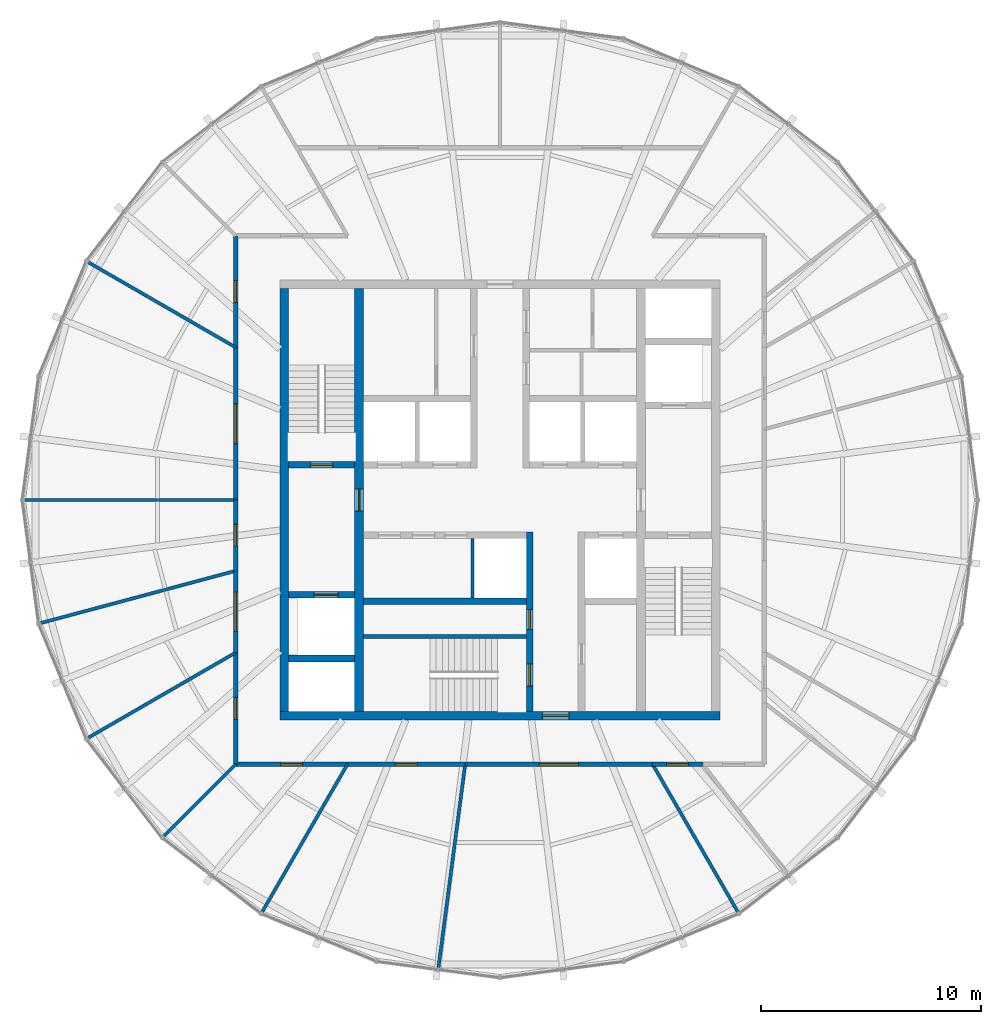
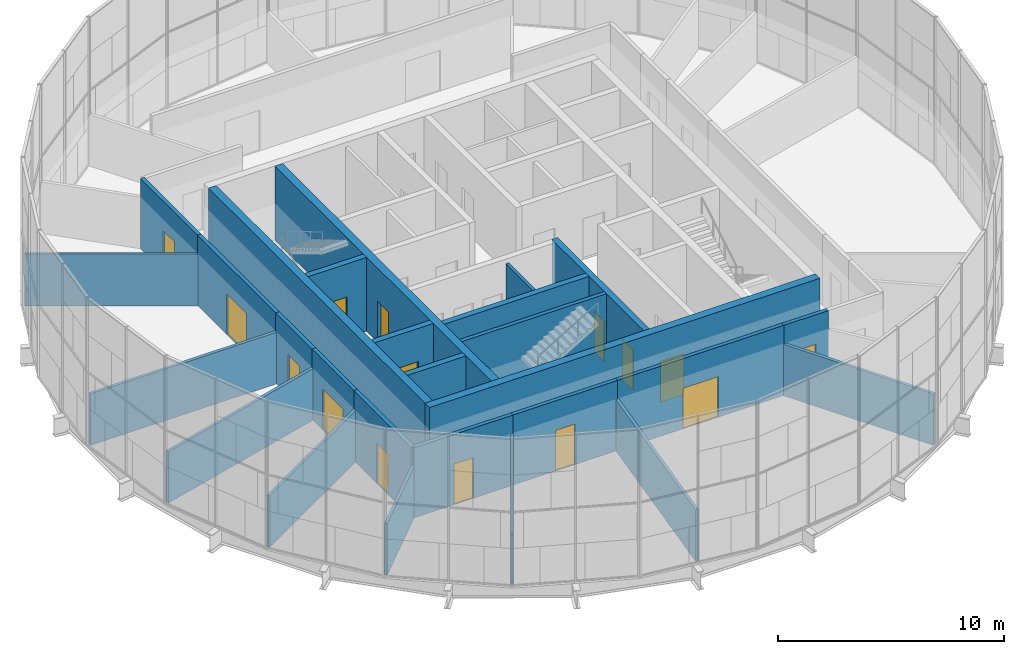
# One storey, part 15 of 18: 27 walls, 15 doors, 15 openings.
"""IFC4 building model written with IfcOpenShell, lengths in metres."""

from ifc_helpers import new_model, si_unit, direction, frame, frame_2d, origin, place, context, subcontext, project, spatial, rectangle, extrude, material, layer, layer_set, type_object, element, fill, save


model = new_model("IFC4")

# Units and contexts
model_context = context("Model", 3, precision=1e-05, world=origin(), true_north=direction((0.0, 1.0)))
body_context = subcontext(model_context, "Body", "Model", "MODEL_VIEW")
ifc_project = project(units=[si_unit("LENGTHUNIT", "METRE"), si_unit("AREAUNIT", "SQUARE_METRE"), si_unit("VOLUMEUNIT", "CUBIC_METRE"), si_unit("PLANEANGLEUNIT", "RADIAN"), si_unit("MASSUNIT", "GRAM", prefix="KILO")], contexts=[model_context])

# Site, building, storey
site_placement = place(None, origin())
site = spatial("IfcSite", under=ifc_project, at=site_placement, CompositionType="ELEMENT")
building_placement = place(site_placement, origin())
building = spatial("IfcBuilding", under=site, at=building_placement, Name="Golbaran Civic Tower", CompositionType="ELEMENT")
storey_placement = place(building_placement, frame((0.0, 0.0, 272.0)))
storey = spatial("IfcBuildingStorey", under=building, at=storey_placement, Name="L66", CompositionType="ELEMENT", Elevation=272.0)

# Wall
ifc_material_1 = material(Name="Concrete block", Category="concrete")
ifc_layer_1 = layer(ifc_material_1, 0.14990234375, Name="Concrete block")
ifc_layer_set_1 = layer_set([ifc_layer_1], Name="Concrete block")
wall_type_1 = type_object("IfcWallType", Name="BLOCKWORK PARTITION 150", PredefinedType="PARTITIONING", material=ifc_layer_set_1)
wall_1_placement = place(storey_placement, frame((-1.25, -1.75, 0.0), z_axis=(0.0, 0.0, 1.0), x_axis=(0.0, -1.0, 0.0)))
element("IfcWall", 1, at=wall_1_placement, inside=storey, type_object=wall_type_1, Name="Lift H3 hoistway west wall L66", PredefinedType="PARTITIONING", context=body_context, shape_type="SweptSolid", body=[
    extrude(rectangle(XDim=2.699951171875, YDim=0.14990234375, at=frame_2d((1.35009765625, 0.0))), origin(), (0.0, 0.0, 1.0), 3.75),
])

# Wall, opening, door
ifc_material_2 = material(Name="Concrete C50/60", Category="concrete")
ifc_layer_2 = layer(ifc_material_2, 0.39990234375, Name="Concrete C50/60")
ifc_layer_set_2 = layer_set([ifc_layer_2], Name="Concrete C50/60")
wall_type_2 = type_object("IfcWallType", Name="CORE WALL CONCRETE 400", PredefinedType="SOLIDWALL", material=ifc_layer_set_2)
wall_2_placement = place(storey_placement, frame((10.0, -9.800048828125, 0.0), z_axis=(0.0, 0.0, 1.0), x_axis=(-1.0, 0.0, 0.0)))
wall_2 = element("IfcWall", 2, at=wall_2_placement, inside=storey, type_object=wall_type_2, Name="Core wall CS L66", PredefinedType="SOLIDWALL", context=body_context, shape_type="SweptSolid", body=[
    extrude(rectangle(XDim=20.0, YDim=0.39990234375, at=frame_2d((10.0, 0.0))), origin(), (0.0, 0.0, 1.0), 4.0),
])
opening_1_placement = place(wall_2_placement, frame((6.875, 0.0, 0.0)))
opening_1 = element("IfcOpeningElement", 3, at=opening_1_placement, cuts=wall_2, Name="Opening L66.CS", PredefinedType="OPENING", context=body_context, shape_type="SweptSolid", body=[
    extrude(rectangle(XDim=1.199951171875, YDim=2.199951171875, at=frame_2d((0.60009765625, 1.10009765625))), frame((0.0, 0.2099609375, 0.0), z_axis=(0.0, -1.0, 0.0), x_axis=(1.0, 0.0, 0.0)), (0.0, 0.0, 1.0), 0.419921875),
])
ifc_material_3 = material(Name="Timber door set in steel frame", Category="steel")
door_type_1 = type_object("IfcDoorType", Name="CORE DOOR 1200x2200", OperationType="DOUBLE_DOOR_SINGLE_SWING", PredefinedType="DOOR", material=ifc_material_3)
door_1_placement = place(opening_1_placement, origin())
door_1 = element("IfcDoor", 4, at=door_1_placement, inside=storey, type_object=door_type_1, Name="Core door south", OperationType="DOUBLE_DOOR_SINGLE_SWING", OverallHeight=2.199951171875, OverallWidth=1.199951171875, PredefinedType="DOOR", context=body_context, shape_type="SweptSolid", body=[
    extrude(rectangle(XDim=1.199951171875, YDim=2.199951171875, at=frame_2d((0.60009765625, 1.10009765625))), frame((0.0, 0.02490234375, 0.0), z_axis=(0.0, -1.0, 0.0), x_axis=(1.0, 0.0, 0.0)), (0.0, 0.0, 1.0), 0.050048828125),
])
fill(opening_1, door_1)

# Wall
wall_3_placement = place(storey_placement, frame((-9.800048828125, 9.60009765625, 0.0), z_axis=(0.0, 0.0, 1.0), x_axis=(0.0, -1.0, 0.0)))
element("IfcWall", 5, at=wall_3_placement, inside=storey, type_object=wall_type_2, Name="Core wall CW L66", PredefinedType="SOLIDWALL", context=body_context, shape_type="SweptSolid", body=[
    extrude(rectangle(XDim=19.2001953125, YDim=0.39990234375, at=frame_2d((9.60009765625, 0.0))), origin(), (0.0, 0.0, 1.0), 4.0),
])

# Wall, opening, door
wall_4_placement = place(storey_placement, frame((-6.39990234375, -9.60009765625, 0.0), z_axis=(0.0, 0.0, 1.0), x_axis=(0.0, 1.0, 0.0)))
wall_4 = element("IfcWall", 6, at=wall_4_placement, inside=storey, type_object=wall_type_2, Name="Core wall IW L66", PredefinedType="SOLIDWALL", context=body_context, shape_type="SweptSolid", body=[
    extrude(rectangle(XDim=19.2001953125, YDim=0.39990234375, at=frame_2d((9.60009765625, 0.0))), origin(), (0.0, 0.0, 1.0), 4.0),
])
opening_2_placement = place(wall_4_placement, frame((9.10009765625, 0.0, 0.0)))
opening_2 = element("IfcOpeningElement", 7, at=opening_2_placement, cuts=wall_4, Name="Opening L66.FL1", PredefinedType="OPENING", context=body_context, shape_type="SweptSolid", body=[
    extrude(rectangle(XDim=1.0, YDim=2.199951171875, at=frame_2d((0.5, 1.10009765625))), frame((0.0, 0.2099609375, 0.0), z_axis=(0.0, -1.0, 0.0), x_axis=(1.0, 0.0, 0.0)), (0.0, 0.0, 1.0), 0.419921875),
])
door_type_2 = type_object("IfcDoorType", Name="STAIR DOOR 1000x2200", OperationType="SINGLE_SWING_LEFT", PredefinedType="DOOR", material=ifc_material_3)
door_2_placement = place(opening_2_placement, origin())
door_2 = element("IfcDoor", 8, at=door_2_placement, inside=storey, type_object=door_type_2, Name="Fire-fighting lobby FL1 door", OperationType="SINGLE_SWING_LEFT", OverallHeight=2.199951171875, OverallWidth=1.0, PredefinedType="DOOR", context=body_context, shape_type="SweptSolid", body=[
    extrude(rectangle(XDim=1.0, YDim=2.199951171875, at=frame_2d((0.5, 1.10009765625))), frame((0.0, 0.02490234375, 0.0), z_axis=(0.0, -1.0, 0.0), x_axis=(1.0, 0.0, 0.0)), (0.0, 0.0, 1.0), 0.050048828125),
])
fill(opening_2, door_2)

ifc_material_4 = material(Name="Gypsum board on steel studs, fire-rated", Category="steel")
ifc_layer_3 = layer(ifc_material_4, 0.199951171875, Name="Gypsum board on steel studs, fire-rated")
ifc_layer_set_3 = layer_set([ifc_layer_3], Name="Gypsum board on steel studs, fire-rated")
wall_type_3 = type_object("IfcWallType", Name="CORRIDOR WALL 200", PredefinedType="PARTITIONING", material=ifc_layer_set_3)
wall_5_placement = place(storey_placement, frame((-12.0, 12.0, 0.0), z_axis=(0.0, 0.0, 1.0), x_axis=(0.0, -1.0, 0.0)))
wall_5 = element("IfcWall", 9, at=wall_5_placement, inside=storey, type_object=wall_type_3, Name="Corridor wall L66", PredefinedType="PARTITIONING", context=body_context, shape_type="SweptSolid", body=[
    extrude(rectangle(XDim=5.07177734375, YDim=0.199951171875, at=frame_2d((2.535888671875, 0.0))), origin(), (0.0, 0.0, 1.0), 3.800048828125),
])
opening_3_placement = place(wall_5_placement, frame((2.035888671875, 0.0, 0.0)))
opening_3 = element("IfcOpeningElement", 10, at=opening_3_placement, cuts=wall_5, Name="Opening L66.09", PredefinedType="OPENING", context=body_context, shape_type="SweptSolid", body=[
    extrude(rectangle(XDim=1.0, YDim=2.199951171875, at=frame_2d((0.5, 1.10009765625))), frame((0.0, 0.10986328125, 0.0), z_axis=(0.0, -1.0, 0.0), x_axis=(1.0, 0.0, 0.0)), (0.0, 0.0, 1.0), 0.219970703125),
])
door_type_3 = type_object("IfcDoorType", Name="OFFICE DOOR 1000x2200", OperationType="SINGLE_SWING_LEFT", PredefinedType="DOOR", material=ifc_material_3)
door_3_placement = place(opening_3_placement, origin())
door_3 = element("IfcDoor", 11, at=door_3_placement, inside=storey, type_object=door_type_3, Name="Meeting Room door L66", OperationType="SINGLE_SWING_RIGHT", OverallHeight=2.199951171875, OverallWidth=1.0, PredefinedType="DOOR", context=body_context, shape_type="SweptSolid", body=[
    extrude(rectangle(XDim=1.0, YDim=2.199951171875, at=frame_2d((0.5, 1.10009765625))), frame((0.0, 0.02490234375, 0.0), z_axis=(0.0, -1.0, 0.0), x_axis=(1.0, 0.0, 0.0)), (0.0, 0.0, 1.0), 0.050048828125),
])
fill(opening_3, door_3)

wall_6_placement = place(storey_placement, frame((-12.0, 6.92822265625, 0.0), z_axis=(0.0, 0.0, 1.0), x_axis=(0.0, -1.0, 0.0)))
wall_6 = element("IfcWall", 12, at=wall_6_placement, inside=storey, type_object=wall_type_3, Name="Corridor wall L66", PredefinedType="PARTITIONING", context=body_context, shape_type="SweptSolid", body=[
    extrude(rectangle(XDim=6.92822265625, YDim=0.199951171875, at=frame_2d((3.464111328125, 0.0))), origin(), (0.0, 0.0, 1.0), 3.800048828125),
])
opening_4_placement = place(wall_6_placement, frame((2.564208984375, 0.0, 0.0)))
opening_4 = element("IfcOpeningElement", 13, at=opening_4_placement, cuts=wall_6, Name="Opening L66.10", PredefinedType="OPENING", context=body_context, shape_type="SweptSolid", body=[
    extrude(rectangle(XDim=1.800048828125, YDim=2.199951171875, at=frame_2d((0.89990234375, 1.10009765625))), frame((0.0, 0.10986328125, 0.0), z_axis=(0.0, -1.0, 0.0), x_axis=(1.0, 0.0, 0.0)), (0.0, 0.0, 1.0), 0.219970703125),
])
door_type_4 = type_object("IfcDoorType", Name="OFFICE DOUBLE DOOR 1800x2200", OperationType="DOUBLE_DOOR_SINGLE_SWING", PredefinedType="DOOR", material=ifc_material_3)
door_4_placement = place(opening_4_placement, origin())
door_4 = element("IfcDoor", 14, at=door_4_placement, inside=storey, type_object=door_type_4, Name="Open Office door L66", OperationType="DOUBLE_DOOR_SINGLE_SWING", OverallHeight=2.199951171875, OverallWidth=1.800048828125, PredefinedType="DOOR", context=body_context, shape_type="SweptSolid", body=[
    extrude(rectangle(XDim=1.800048828125, YDim=2.199951171875, at=frame_2d((0.89990234375, 1.10009765625))), frame((0.0, 0.02490234375, 0.0), z_axis=(0.0, -1.0, 0.0), x_axis=(1.0, 0.0, 0.0)), (0.0, 0.0, 1.0), 0.050048828125),
])
fill(opening_4, door_4)

wall_7_placement = place(storey_placement, frame((-12.0, 0.0, 0.0), z_axis=(0.0, 0.0, 1.0), x_axis=(0.0, -1.0, 0.0)))
wall_7 = element("IfcWall", 15, at=wall_7_placement, inside=storey, type_object=wall_type_3, Name="Corridor wall L66", PredefinedType="PARTITIONING", context=body_context, shape_type="SweptSolid", body=[
    extrude(rectangle(XDim=3.21533203125, YDim=0.199951171875, at=frame_2d((1.607666015625, 0.0))), origin(), (0.0, 0.0, 1.0), 3.800048828125),
])
opening_5_placement = place(wall_7_placement, frame((1.107666015625, 0.0, 0.0)))
opening_5 = element("IfcOpeningElement", 16, at=opening_5_placement, cuts=wall_7, Name="Opening L66.11", PredefinedType="OPENING", context=body_context, shape_type="SweptSolid", body=[
    extrude(rectangle(XDim=1.0, YDim=2.199951171875, at=frame_2d((0.5, 1.10009765625))), frame((0.0, 0.10986328125, 0.0), z_axis=(0.0, -1.0, 0.0), x_axis=(1.0, 0.0, 0.0)), (0.0, 0.0, 1.0), 0.219970703125),
])
door_5_placement = place(opening_5_placement, origin())
door_5 = element("IfcDoor", 17, at=door_5_placement, inside=storey, type_object=door_type_3, Name="Project Room door L66", OperationType="SINGLE_SWING_RIGHT", OverallHeight=2.199951171875, OverallWidth=1.0, PredefinedType="DOOR", context=body_context, shape_type="SweptSolid", body=[
    extrude(rectangle(XDim=1.0, YDim=2.199951171875, at=frame_2d((0.5, 1.10009765625))), frame((0.0, 0.02490234375, 0.0), z_axis=(0.0, -1.0, 0.0), x_axis=(1.0, 0.0, 0.0)), (0.0, 0.0, 1.0), 0.050048828125),
])
fill(opening_5, door_5)

wall_8_placement = place(storey_placement, frame((-12.0, -3.21533203125, 0.0), z_axis=(0.0, 0.0, 1.0), x_axis=(0.0, -1.0, 0.0)))
wall_8 = element("IfcWall", 18, at=wall_8_placement, inside=storey, type_object=wall_type_3, Name="Corridor wall L66", PredefinedType="PARTITIONING", context=body_context, shape_type="SweptSolid", body=[
    extrude(rectangle(XDim=3.712890625, YDim=0.199951171875, at=frame_2d((1.8564453125, 0.0))), origin(), (0.0, 0.0, 1.0), 3.800048828125),
])
opening_6_placement = place(wall_8_placement, frame((0.956298828125, 0.0, 0.0)))
opening_6 = element("IfcOpeningElement", 19, at=opening_6_placement, cuts=wall_8, Name="Opening L66.12", PredefinedType="OPENING", context=body_context, shape_type="SweptSolid", body=[
    extrude(rectangle(XDim=1.800048828125, YDim=2.199951171875, at=frame_2d((0.89990234375, 1.10009765625))), frame((0.0, 0.10986328125, 0.0), z_axis=(0.0, -1.0, 0.0), x_axis=(1.0, 0.0, 0.0)), (0.0, 0.0, 1.0), 0.219970703125),
])
door_6_placement = place(opening_6_placement, origin())
door_6 = element("IfcDoor", 20, at=door_6_placement, inside=storey, type_object=door_type_4, Name="Open Office door L66", OperationType="DOUBLE_DOOR_SINGLE_SWING", OverallHeight=2.199951171875, OverallWidth=1.800048828125, PredefinedType="DOOR", context=body_context, shape_type="SweptSolid", body=[
    extrude(rectangle(XDim=1.800048828125, YDim=2.199951171875, at=frame_2d((0.89990234375, 1.10009765625))), frame((0.0, 0.02490234375, 0.0), z_axis=(0.0, -1.0, 0.0), x_axis=(1.0, 0.0, 0.0)), (0.0, 0.0, 1.0), 0.050048828125),
])
fill(opening_6, door_6)

wall_9_placement = place(storey_placement, frame((-12.0, -6.92822265625, 0.0), z_axis=(0.0, 0.0, 1.0), x_axis=(0.0, -1.0, 0.0)))
wall_9 = element("IfcWall", 21, at=wall_9_placement, inside=storey, type_object=wall_type_3, Name="Corridor wall L66", PredefinedType="PARTITIONING", context=body_context, shape_type="SweptSolid", body=[
    extrude(rectangle(XDim=5.07177734375, YDim=0.199951171875, at=frame_2d((2.535888671875, 0.0))), origin(), (0.0, 0.0, 1.0), 3.800048828125),
])
opening_7_placement = place(wall_9_placement, frame((2.035888671875, 0.0, 0.0)))
opening_7 = element("IfcOpeningElement", 22, at=opening_7_placement, cuts=wall_9, Name="Opening L66.13", PredefinedType="OPENING", context=body_context, shape_type="SweptSolid", body=[
    extrude(rectangle(XDim=1.0, YDim=2.199951171875, at=frame_2d((0.5, 1.10009765625))), frame((0.0, 0.10986328125, 0.0), z_axis=(0.0, -1.0, 0.0), x_axis=(1.0, 0.0, 0.0)), (0.0, 0.0, 1.0), 0.219970703125),
])
door_7_placement = place(opening_7_placement, origin())
door_7 = element("IfcDoor", 23, at=door_7_placement, inside=storey, type_object=door_type_3, Name="Meeting Room door L66", OperationType="SINGLE_SWING_RIGHT", OverallHeight=2.199951171875, OverallWidth=1.0, PredefinedType="DOOR", context=body_context, shape_type="SweptSolid", body=[
    extrude(rectangle(XDim=1.0, YDim=2.199951171875, at=frame_2d((0.5, 1.10009765625))), frame((0.0, 0.02490234375, 0.0), z_axis=(0.0, -1.0, 0.0), x_axis=(1.0, 0.0, 0.0)), (0.0, 0.0, 1.0), 0.050048828125),
])
fill(opening_7, door_7)

wall_10_placement = place(storey_placement, frame((-12.0, -12.0, 0.0), z_axis=(0.0, 0.0, 1.0), x_axis=(1.0, 0.0, 0.0)))
wall_10 = element("IfcWall", 24, at=wall_10_placement, inside=storey, type_object=wall_type_3, Name="Corridor wall L66", PredefinedType="PARTITIONING", context=body_context, shape_type="SweptSolid", body=[
    extrude(rectangle(XDim=5.07177734375, YDim=0.199951171875, at=frame_2d((2.535888671875, 0.0))), origin(), (0.0, 0.0, 1.0), 3.800048828125),
])
opening_8_placement = place(wall_10_placement, frame((2.035888671875, 0.0, 0.0)))
opening_8 = element("IfcOpeningElement", 25, at=opening_8_placement, cuts=wall_10, Name="Opening L66.14", PredefinedType="OPENING", context=body_context, shape_type="SweptSolid", body=[
    extrude(rectangle(XDim=1.0, YDim=2.199951171875, at=frame_2d((0.5, 1.10009765625))), frame((0.0, 0.10986328125, 0.0), z_axis=(0.0, -1.0, 0.0), x_axis=(1.0, 0.0, 0.0)), (0.0, 0.0, 1.0), 0.219970703125),
])
door_8_placement = place(opening_8_placement, origin())
door_8 = element("IfcDoor", 26, at=door_8_placement, inside=storey, type_object=door_type_3, Name="Store door L66", OperationType="SINGLE_SWING_LEFT", OverallHeight=2.199951171875, OverallWidth=1.0, PredefinedType="DOOR", context=body_context, shape_type="SweptSolid", body=[
    extrude(rectangle(XDim=1.0, YDim=2.199951171875, at=frame_2d((0.5, 1.10009765625))), frame((0.0, 0.02490234375, 0.0), z_axis=(0.0, -1.0, 0.0), x_axis=(1.0, 0.0, 0.0)), (0.0, 0.0, 1.0), 0.050048828125),
])
fill(opening_8, door_8)

wall_11_placement = place(storey_placement, frame((-6.92822265625, -12.0, 0.0), z_axis=(0.0, 0.0, 1.0), x_axis=(1.0, 0.0, 0.0)))
wall_11 = element("IfcWall", 27, at=wall_11_placement, inside=storey, type_object=wall_type_3, Name="Corridor wall L66", PredefinedType="PARTITIONING", context=body_context, shape_type="SweptSolid", body=[
    extrude(rectangle(XDim=5.348388671875, YDim=0.199951171875, at=frame_2d((2.67431640625, 0.0))), origin(), (0.0, 0.0, 1.0), 3.800048828125),
])
opening_9_placement = place(wall_11_placement, frame((2.174072265625, 0.0, 0.0)))
opening_9 = element("IfcOpeningElement", 28, at=opening_9_placement, cuts=wall_11, Name="Opening L66.15", PredefinedType="OPENING", context=body_context, shape_type="SweptSolid", body=[
    extrude(rectangle(XDim=1.0, YDim=2.199951171875, at=frame_2d((0.5, 1.10009765625))), frame((0.0, 0.10986328125, 0.0), z_axis=(0.0, -1.0, 0.0), x_axis=(1.0, 0.0, 0.0)), (0.0, 0.0, 1.0), 0.219970703125),
])
door_9_placement = place(opening_9_placement, origin())
door_9 = element("IfcDoor", 29, at=door_9_placement, inside=storey, type_object=door_type_3, Name="Meeting Room door L66", OperationType="SINGLE_SWING_LEFT", OverallHeight=2.199951171875, OverallWidth=1.0, PredefinedType="DOOR", context=body_context, shape_type="SweptSolid", body=[
    extrude(rectangle(XDim=1.0, YDim=2.199951171875, at=frame_2d((0.5, 1.10009765625))), frame((0.0, 0.02490234375, 0.0), z_axis=(0.0, -1.0, 0.0), x_axis=(1.0, 0.0, 0.0)), (0.0, 0.0, 1.0), 0.050048828125),
])
fill(opening_9, door_9)

wall_12_placement = place(storey_placement, frame((-1.579833984375, -12.0, 0.0), z_axis=(0.0, 0.0, 1.0), x_axis=(1.0, 0.0, 0.0)))
wall_12 = element("IfcWall", 30, at=wall_12_placement, inside=storey, type_object=wall_type_3, Name="Corridor wall L66", PredefinedType="PARTITIONING", context=body_context, shape_type="SweptSolid", body=[
    extrude(rectangle(XDim=8.508056640625, YDim=0.199951171875, at=frame_2d((4.25390625, 0.0))), origin(), (0.0, 0.0, 1.0), 3.800048828125),
])
opening_10_placement = place(wall_12_placement, frame((3.35400390625, 0.0, 0.0)))
opening_10 = element("IfcOpeningElement", 31, at=opening_10_placement, cuts=wall_12, Name="Opening L66.16", PredefinedType="OPENING", context=body_context, shape_type="SweptSolid", body=[
    extrude(rectangle(XDim=1.800048828125, YDim=2.199951171875, at=frame_2d((0.89990234375, 1.10009765625))), frame((0.0, 0.10986328125, 0.0), z_axis=(0.0, -1.0, 0.0), x_axis=(1.0, 0.0, 0.0)), (0.0, 0.0, 1.0), 0.219970703125),
])
door_10_placement = place(opening_10_placement, origin())
door_10 = element("IfcDoor", 32, at=door_10_placement, inside=storey, type_object=door_type_4, Name="Open Office door L66", OperationType="DOUBLE_DOOR_SINGLE_SWING", OverallHeight=2.199951171875, OverallWidth=1.800048828125, PredefinedType="DOOR", context=body_context, shape_type="SweptSolid", body=[
    extrude(rectangle(XDim=1.800048828125, YDim=2.199951171875, at=frame_2d((0.89990234375, 1.10009765625))), frame((0.0, 0.02490234375, 0.0), z_axis=(0.0, -1.0, 0.0), x_axis=(1.0, 0.0, 0.0)), (0.0, 0.0, 1.0), 0.050048828125),
])
fill(opening_10, door_10)

wall_13_placement = place(storey_placement, frame((6.92822265625, -12.0, 0.0), z_axis=(0.0, 0.0, 1.0), x_axis=(1.0, 0.0, 0.0)))
wall_13 = element("IfcWall", 33, at=wall_13_placement, inside=storey, type_object=wall_type_3, Name="Corridor wall L66", PredefinedType="PARTITIONING", context=body_context, shape_type="SweptSolid", body=[
    extrude(rectangle(XDim=2.27978515625, YDim=0.199951171875, at=frame_2d((1.139892578125, 0.0))), origin(), (0.0, 0.0, 1.0), 3.800048828125),
])
opening_11_placement = place(wall_13_placement, frame((0.639892578125, 0.0, 0.0)))
opening_11 = element("IfcOpeningElement", 34, at=opening_11_placement, cuts=wall_13, Name="Opening L66.17", PredefinedType="OPENING", context=body_context, shape_type="SweptSolid", body=[
    extrude(rectangle(XDim=1.0, YDim=2.199951171875, at=frame_2d((0.5, 1.10009765625))), frame((0.0, 0.10986328125, 0.0), z_axis=(0.0, -1.0, 0.0), x_axis=(1.0, 0.0, 0.0)), (0.0, 0.0, 1.0), 0.219970703125),
])
door_11_placement = place(opening_11_placement, origin())
door_11 = element("IfcDoor", 35, at=door_11_placement, inside=storey, type_object=door_type_3, Name="Print and Copy Room door L66", OperationType="SINGLE_SWING_LEFT", OverallHeight=2.199951171875, OverallWidth=1.0, PredefinedType="DOOR", context=body_context, shape_type="SweptSolid", body=[
    extrude(rectangle(XDim=1.0, YDim=2.199951171875, at=frame_2d((0.5, 1.10009765625))), frame((0.0, 0.02490234375, 0.0), z_axis=(0.0, -1.0, 0.0), x_axis=(1.0, 0.0, 0.0)), (0.0, 0.0, 1.0), 0.050048828125),
])
fill(opening_11, door_11)

# Walls
ifc_material_5 = material(Name="Gypsum board on steel studs", Category="steel")
ifc_layer_4 = layer(ifc_material_5, 0.14990234375, Name="Gypsum board on steel studs")
ifc_layer_set_4 = layer_set([ifc_layer_4], Name="Gypsum board on steel studs")
wall_type_4 = type_object("IfcWallType", Name="OFFICE PARTITION 150", PredefinedType="PARTITIONING", material=ifc_layer_set_4)
wall_14_placement = place(storey_placement, frame((-12.0, 6.92822265625, 0.0), z_axis=(0.0, 0.0, 1.0), x_axis=(-0.866025099701, 0.500000526688, 0.0)))
element("IfcWall", 36, at=wall_14_placement, inside=storey, type_object=wall_type_4, Name="Partition 150 L66", PredefinedType="PARTITIONING", context=body_context, shape_type="SweptSolid", body=[
    extrude(rectangle(XDim=7.751953125, YDim=0.14990234375, at=frame_2d((3.8759765625, 0.0))), origin(), (0.0, 0.0, 1.0), 2.7900390625),
])
wall_15_placement = place(storey_placement, frame((-12.0, 0.0, 0.0), z_axis=(0.0, 0.0, 1.0), x_axis=(-1.0, 0.0, 0.0)))
element("IfcWall", 37, at=wall_15_placement, inside=storey, type_object=wall_type_4, Name="Partition 180 L66", PredefinedType="PARTITIONING", context=body_context, shape_type="SweptSolid", body=[
    extrude(rectangle(XDim=9.608154296875, YDim=0.14990234375, at=frame_2d((4.80419921875, 0.0))), origin(), (0.0, 0.0, 1.0), 2.7900390625),
])
wall_16_placement = place(storey_placement, frame((-12.0, -3.21533203125, 0.0), z_axis=(0.0, 0.0, 1.0), x_axis=(-0.965925864192, -0.258818903647, 0.0)))
element("IfcWall", 38, at=wall_16_placement, inside=storey, type_object=wall_type_4, Name="Partition 195 L66", PredefinedType="PARTITIONING", context=body_context, shape_type="SweptSolid", body=[
    extrude(rectangle(XDim=9.184814453125, YDim=0.14990234375, at=frame_2d((4.59228515625, 0.0))), origin(), (0.0, 0.0, 1.0), 2.7900390625),
])
wall_17_placement = place(storey_placement, frame((-12.0, -6.92822265625, 0.0), z_axis=(0.0, 0.0, 1.0), x_axis=(-0.866025099701, -0.500000526688, 0.0)))
element("IfcWall", 39, at=wall_17_placement, inside=storey, type_object=wall_type_4, Name="Partition 210 L66", PredefinedType="PARTITIONING", context=body_context, shape_type="SweptSolid", body=[
    extrude(rectangle(XDim=7.751953125, YDim=0.14990234375, at=frame_2d((3.8759765625, 0.0))), origin(), (0.0, 0.0, 1.0), 2.7900390625),
])
wall_18_placement = place(storey_placement, frame((-12.0, -12.0, 0.0), z_axis=(0.0, 0.0, 1.0), x_axis=(-0.707106781187, -0.707106781187, 0.0)))
element("IfcWall", 40, at=wall_18_placement, inside=storey, type_object=wall_type_4, Name="Partition 225 L66", PredefinedType="PARTITIONING", context=body_context, shape_type="SweptSolid", body=[
    extrude(rectangle(XDim=4.6376953125, YDim=0.14990234375, at=frame_2d((2.31884765625, 0.0))), origin(), (0.0, 0.0, 1.0), 2.7900390625),
])
wall_19_placement = place(storey_placement, frame((-6.92822265625, -12.0, 0.0), z_axis=(0.0, 0.0, 1.0), x_axis=(-0.500000526688, -0.866025099701, 0.0)))
element("IfcWall", 41, at=wall_19_placement, inside=storey, type_object=wall_type_4, Name="Partition 240 L66", PredefinedType="PARTITIONING", context=body_context, shape_type="SweptSolid", body=[
    extrude(rectangle(XDim=7.751953125, YDim=0.14990234375, at=frame_2d((3.8759765625, 0.0))), origin(), (0.0, 0.0, 1.0), 2.7900390625),
])
wall_20_placement = place(storey_placement, frame((-1.579833984375, -12.0, 0.0), z_axis=(0.0, 0.0, 1.0), x_axis=(-0.13053515118, -0.991443681863, 0.0)))
element("IfcWall", 42, at=wall_20_placement, inside=storey, type_object=wall_type_4, Name="Partition 262.5 L66", PredefinedType="PARTITIONING", context=body_context, shape_type="SweptSolid", body=[
    extrude(rectangle(XDim=9.31982421875, YDim=0.14990234375, at=frame_2d((4.659912109375, 0.0))), origin(), (0.0, 0.0, 1.0), 2.7900390625),
])
wall_21_placement = place(storey_placement, frame((6.92822265625, -12.0, 0.0), z_axis=(0.0, 0.0, 1.0), x_axis=(0.500000526688, -0.866025099701, 0.0)))
element("IfcWall", 43, at=wall_21_placement, inside=storey, type_object=wall_type_4, Name="Partition 300 L66", PredefinedType="PARTITIONING", context=body_context, shape_type="SweptSolid", body=[
    extrude(rectangle(XDim=7.751953125, YDim=0.14990234375, at=frame_2d((3.8759765625, 0.0))), origin(), (0.0, 0.0, 1.0), 2.7900390625),
])
ifc_layer_5 = layer(ifc_material_2, 0.199951171875, Name="Concrete C50/60")
ifc_layer_set_5 = layer_set([ifc_layer_5], Name="Concrete C50/60")
wall_type_5 = type_object("IfcWallType", Name="SHAFT WALL CONCRETE 200", PredefinedType="SOLIDWALL", material=ifc_layer_set_5)
wall_22_placement = place(storey_placement, frame((-6.199951171875, -6.199951171875, 0.0), z_axis=(0.0, 0.0, 1.0), x_axis=(1.0, 0.0, 0.0)))
element("IfcWall", 44, at=wall_22_placement, inside=storey, type_object=wall_type_5, Name="Core wall S3N L66", PredefinedType="SOLIDWALL", context=body_context, shape_type="SweptSolid", body=[
    extrude(rectangle(XDim=7.39990234375, YDim=0.199951171875, at=frame_2d((3.699951171875, 0.0))), origin(), (0.0, 0.0, 1.0), 4.0),
])
ifc_layer_6 = layer(ifc_material_2, 0.300048828125, Name="Concrete C50/60")
ifc_layer_set_6 = layer_set([ifc_layer_6], Name="Concrete C50/60")
wall_type_6 = type_object("IfcWallType", Name="SHAFT WALL CONCRETE 300", PredefinedType="SOLIDWALL", material=ifc_layer_set_6)
wall_23_placement = place(storey_placement, frame((-6.199951171875, -4.60009765625, 0.0), z_axis=(0.0, 0.0, 1.0), x_axis=(1.0, 0.0, 0.0)))
element("IfcWall", 45, at=wall_23_placement, inside=storey, type_object=wall_type_6, Name="Core wall BSW L66", PredefinedType="SOLIDWALL", context=body_context, shape_type="SweptSolid", body=[
    extrude(rectangle(XDim=7.39990234375, YDim=0.300048828125, at=frame_2d((3.699951171875, 0.0))), origin(), (0.0, 0.0, 1.0), 4.0),
])

# Wall, openings, doors
wall_24_placement = place(storey_placement, frame((1.35009765625, -1.449951171875, 0.0), z_axis=(0.0, 0.0, 1.0), x_axis=(0.0, -1.0, 0.0)))
wall_24 = element("IfcWall", 46, at=wall_24_placement, inside=storey, type_object=wall_type_6, Name="Core wall PSW L66", PredefinedType="SOLIDWALL", context=body_context, shape_type="SweptSolid", body=[
    extrude(rectangle(XDim=8.150146484375, YDim=0.300048828125, at=frame_2d((4.0751953125, 0.0))), origin(), (0.0, 0.0, 1.0), 4.0),
])
opening_12_placement = place(wall_24_placement, frame((6.0, 0.0, 0.0)))
opening_12 = element("IfcOpeningElement", 47, at=opening_12_placement, cuts=wall_24, Name="Opening L66.S3", PredefinedType="OPENING", context=body_context, shape_type="SweptSolid", body=[
    extrude(rectangle(XDim=1.0, YDim=2.199951171875, at=frame_2d((0.5, 1.10009765625))), frame((0.0, 0.159912109375, 0.0), z_axis=(0.0, -1.0, 0.0), x_axis=(1.0, 0.0, 0.0)), (0.0, 0.0, 1.0), 0.320068359375),
])
opening_13_placement = place(wall_24_placement, frame((3.52490234375, 0.0, 0.0)))
opening_13 = element("IfcOpeningElement", 48, at=opening_13_placement, cuts=wall_24, Name="Opening L66.RE", PredefinedType="OPENING", context=body_context, shape_type="SweptSolid", body=[
    extrude(rectangle(XDim=0.89990234375, YDim=2.199951171875, at=frame_2d((0.449951171875, 1.10009765625))), frame((0.0, 0.159912109375, 0.0), z_axis=(0.0, -1.0, 0.0), x_axis=(1.0, 0.0, 0.0)), (0.0, 0.0, 1.0), 0.320068359375),
])
door_type_5 = type_object("IfcDoorType", Name="RISER DOOR 900x2200", OperationType="SINGLE_SWING_LEFT", PredefinedType="DOOR", material=ifc_material_3)
door_12_placement = place(opening_13_placement, origin())
door_12 = element("IfcDoor", 49, at=door_12_placement, inside=storey, type_object=door_type_5, Name="Electrical riser door", OperationType="SINGLE_SWING_LEFT", OverallHeight=2.199951171875, OverallWidth=0.89990234375, PredefinedType="DOOR", context=body_context, shape_type="SweptSolid", body=[
    extrude(rectangle(XDim=0.89990234375, YDim=2.199951171875, at=frame_2d((0.449951171875, 1.10009765625))), frame((0.0, 0.02490234375, 0.0), z_axis=(0.0, -1.0, 0.0), x_axis=(1.0, 0.0, 0.0)), (0.0, 0.0, 1.0), 0.050048828125),
])
fill(opening_13, door_12)
door_13_placement = place(opening_12_placement, origin())
door_13 = element("IfcDoor", 50, at=door_13_placement, inside=storey, type_object=door_type_2, Name="Stair S3 door", OperationType="SINGLE_SWING_RIGHT", OverallHeight=2.199951171875, OverallWidth=1.0, PredefinedType="DOOR", context=body_context, shape_type="SweptSolid", body=[
    extrude(rectangle(XDim=1.0, YDim=2.199951171875, at=frame_2d((0.5, 1.10009765625))), frame((0.0, 0.02490234375, 0.0), z_axis=(0.0, -1.0, 0.0), x_axis=(1.0, 0.0, 0.0)), (0.0, 0.0, 1.0), 0.050048828125),
])
fill(opening_12, door_13)

# Wall, opening, door
wall_25_placement = place(storey_placement, frame((-9.60009765625, 1.60009765625, 0.0), z_axis=(0.0, 0.0, 1.0), x_axis=(1.0, 0.0, 0.0)))
wall_25 = element("IfcWall", 51, at=wall_25_placement, inside=storey, type_object=wall_type_6, Name="Core wall XW1 L66", PredefinedType="SOLIDWALL", context=body_context, shape_type="SweptSolid", body=[
    extrude(rectangle(XDim=3.0, YDim=0.300048828125, at=frame_2d((1.5, 0.0))), origin(), (0.0, 0.0, 1.0), 4.0),
])
opening_14_placement = place(wall_25_placement, frame((1.0, 0.0, 0.0)))
opening_14 = element("IfcOpeningElement", 52, at=opening_14_placement, cuts=wall_25, Name="Opening L66.S1", PredefinedType="OPENING", context=body_context, shape_type="SweptSolid", body=[
    extrude(rectangle(XDim=1.0, YDim=2.199951171875, at=frame_2d((0.5, 1.10009765625))), frame((0.0, 0.159912109375, 0.0), z_axis=(0.0, -1.0, 0.0), x_axis=(1.0, 0.0, 0.0)), (0.0, 0.0, 1.0), 0.320068359375),
])
door_14_placement = place(opening_14_placement, origin())
door_14 = element("IfcDoor", 53, at=door_14_placement, inside=storey, type_object=door_type_2, Name="Stair S1 door", OperationType="SINGLE_SWING_LEFT", OverallHeight=2.199951171875, OverallWidth=1.0, PredefinedType="DOOR", context=body_context, shape_type="SweptSolid", body=[
    extrude(rectangle(XDim=1.0, YDim=2.199951171875, at=frame_2d((0.5, 1.10009765625))), frame((0.0, 0.02490234375, 0.0), z_axis=(0.0, -1.0, 0.0), x_axis=(1.0, 0.0, 0.0)), (0.0, 0.0, 1.0), 0.050048828125),
])
fill(opening_14, door_14)

wall_26_placement = place(storey_placement, frame((-9.60009765625, -4.300048828125, 0.0), z_axis=(0.0, 0.0, 1.0), x_axis=(1.0, 0.0, 0.0)))
wall_26 = element("IfcWall", 54, at=wall_26_placement, inside=storey, type_object=wall_type_6, Name="Core wall XW2 L66", PredefinedType="SOLIDWALL", context=body_context, shape_type="SweptSolid", body=[
    extrude(rectangle(XDim=3.0, YDim=0.300048828125, at=frame_2d((1.5, 0.0))), origin(), (0.0, 0.0, 1.0), 4.0),
])
opening_15_placement = place(wall_26_placement, frame((1.14990234375, 0.0, 0.0)))
opening_15 = element("IfcOpeningElement", 55, at=opening_15_placement, cuts=wall_26, Name="Opening L66.LD-F1", PredefinedType="OPENING", context=body_context, shape_type="SweptSolid", body=[
    extrude(rectangle(XDim=1.10009765625, YDim=2.199951171875, at=frame_2d((0.550048828125, 1.10009765625))), frame((0.0, 0.159912109375, 0.0), z_axis=(0.0, -1.0, 0.0), x_axis=(1.0, 0.0, 0.0)), (0.0, 0.0, 1.0), 0.320068359375),
])
ifc_material_6 = material(Name="Stainless steel", Category="steel")
door_type_6 = type_object("IfcDoorType", Name="LIFT LANDING DOOR 1100x2200", OperationType="SLIDING_TO_LEFT", PredefinedType="DOOR", material=ifc_material_6)
door_15_placement = place(opening_15_placement, origin())
door_15 = element("IfcDoor", 56, at=door_15_placement, inside=storey, type_object=door_type_6, Name="Lift landing door F1", OperationType="SLIDING_TO_LEFT", OverallHeight=2.199951171875, OverallWidth=1.10009765625, PredefinedType="DOOR", context=body_context, shape_type="SweptSolid", body=[
    extrude(rectangle(XDim=1.10009765625, YDim=2.199951171875, at=frame_2d((0.550048828125, 1.10009765625))), frame((0.0, 0.02490234375, 0.0), z_axis=(0.0, -1.0, 0.0), x_axis=(1.0, 0.0, 0.0)), (0.0, 0.0, 1.0), 0.050048828125),
])
fill(opening_15, door_15)

# Wall
wall_27_placement = place(storey_placement, frame((-9.60009765625, -7.199951171875, 0.0), z_axis=(0.0, 0.0, 1.0), x_axis=(1.0, 0.0, 0.0)))
element("IfcWall", 57, at=wall_27_placement, inside=storey, type_object=wall_type_6, Name="Core wall XW3 L66", PredefinedType="SOLIDWALL", context=body_context, shape_type="SweptSolid", body=[
    extrude(rectangle(XDim=3.0, YDim=0.300048828125, at=frame_2d((1.5, 0.0))), origin(), (0.0, 0.0, 1.0), 4.0),
])

save(model, "model.ifc")
